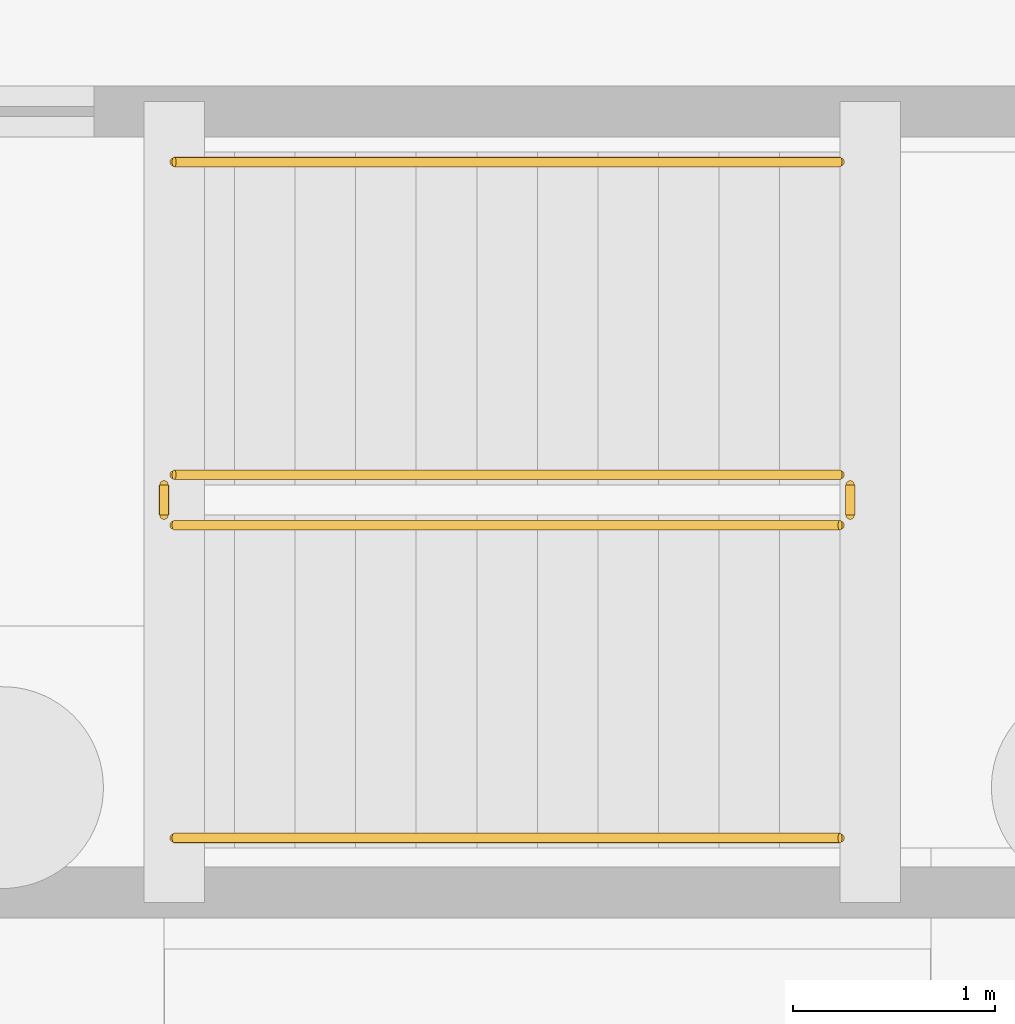
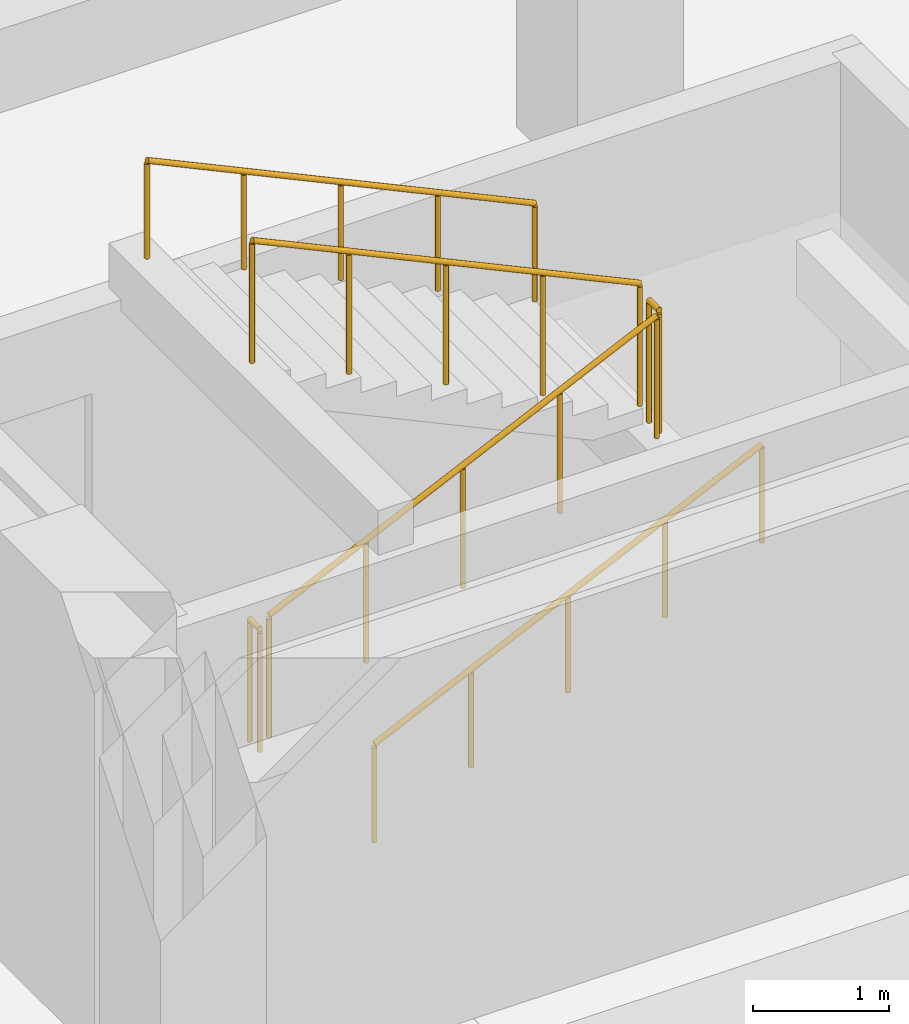
# One storey, part 55 of 70: 6 railings.
"""IFC4 building model written with IfcOpenShell, lengths in metres."""

import ifcopenshell
import ifcopenshell.guid

model = None  # the IFC model being written
_history = None  # IfcOwnerHistory: only IFC2X3 demands one
_inside = {}  # id of a spatial element -> (the spatial element, [elements in it])
_under = {}  # id of a project, library or spatial element -> (it, [spatial elements below it])
_declared = {}  # id of a project -> (the project, [libraries it declares])
_typed = {}  # id of a type object -> (the type object, [elements of that type])
_made_of = {}  # id of a material, layer set ... -> (it, [elements and type objects made of it])


def new_model(schema):
    """Start an empty IFC model of exactly this schema.

    Asked for "IFC4X3", IfcOpenShell would pick the latest addendum, in which some entities
    have other attributes; the version numbers below select the first issue.
    IFC2X3 requires an IfcOwnerHistory on every rooted entity: one is made here for all.
    """
    global model, _history
    if schema == "IFC4X3":
        model = ifcopenshell.file(schema_version=(4, 3, 0, 0))
    else:
        model = ifcopenshell.file(schema=schema)
    _inside.clear()
    _under.clear()
    _declared.clear()
    _typed.clear()
    _made_of.clear()
    _history = None
    if model.schema == "IFC2X3":
        org = make("IfcOrganization", Name="unknown")
        user = make(
            "IfcPersonAndOrganization",
            ThePerson=make("IfcPerson", FamilyName="unknown"),
            TheOrganization=org,
        )
        app = make(
            "IfcApplication",
            ApplicationDeveloper=org,
            Version="unknown",
            ApplicationFullName="unknown",
            ApplicationIdentifier="unknown",
        )
        _history = make(
            "IfcOwnerHistory",
            OwningUser=user,
            OwningApplication=app,
            ChangeAction="ADDED",
            CreationDate=0,
        )
    return model


def make(cls, **values):
    """One entity of the class cls with the attributes given. An attribute that is None is left unset."""
    return model.create_entity(
        cls, **{name: value for name, value in values.items() if value is not None}
    )


def rooted(cls, **values):
    """An entity with a GlobalId (a new one), such as an element, a storey or a relation."""
    return make(cls, GlobalId=ifcopenshell.guid.new(), OwnerHistory=_history, **values)


def si_unit(unit_type, name, prefix=None):
    """IfcSIUnit, for example si_unit("LENGTHUNIT", "METRE", prefix="MILLI")."""
    return make("IfcSIUnit", UnitType=unit_type, Prefix=prefix, Name=name)


def assignment(units):
    """IfcUnitAssignment: the units of a project."""
    return None if units is None else make("IfcUnitAssignment", Units=units)


def point(xyz):
    """IfcCartesianPoint."""
    return None if xyz is None else make("IfcCartesianPoint", Coordinates=xyz)


def direction(xyz):
    """IfcDirection."""
    return None if xyz is None else make("IfcDirection", DirectionRatios=xyz)


def frame(location, z_axis=None, x_axis=None):
    """IfcAxis2Placement3D, a coordinate frame: its origin and axes. An axis left out is left unset."""
    return make(
        "IfcAxis2Placement3D",
        Location=point(location),
        Axis=direction(z_axis),
        RefDirection=direction(x_axis),
    )


def frame_2d(location, x_axis=None):
    """IfcAxis2Placement2D, a coordinate frame in the plane: its origin and x axis."""
    return make(
        "IfcAxis2Placement2D", Location=point(location), RefDirection=direction(x_axis)
    )


def origin():
    """The frame at (0, 0, 0) with its axes left unset."""
    return frame((0.0, 0.0, 0.0))


def origin_2d():
    """The frame at (0, 0) in the plane with its x axis left unset."""
    return frame_2d((0.0, 0.0))


def place(relative_to, where):
    """IfcLocalPlacement: puts the frame where relative to a parent placement (None: the world)."""
    return make(
        "IfcLocalPlacement", PlacementRelTo=relative_to, RelativePlacement=where
    )


def context(
    kind, dimensions, precision=None, world=None, true_north=None, identifier=None
):
    """IfcGeometricRepresentationContext, for example the 3D "Model" context."""
    return make(
        "IfcGeometricRepresentationContext",
        ContextIdentifier=identifier,
        ContextType=kind,
        CoordinateSpaceDimension=dimensions,
        Precision=precision,
        WorldCoordinateSystem=world,
        TrueNorth=true_north,
    )


def subcontext(parent, identifier, kind, view, scale=None):
    """IfcGeometricRepresentationSubContext, for example "Body" below "Model"."""
    return make(
        "IfcGeometricRepresentationSubContext",
        ContextIdentifier=identifier,
        ContextType=kind,
        ParentContext=parent,
        TargetScale=scale,
        TargetView=view,
    )


def project(units=None, contexts=None):
    """IfcProject with its units and contexts."""
    return rooted(
        "IfcProject",
        Name="project",
        RepresentationContexts=contexts,
        UnitsInContext=assignment(units),
    )


def spatial(cls, under=None, at=None, **own):
    """A site, building, storey or space (cls), placed at a placement, below another one or the project."""
    s = rooted(cls, ObjectPlacement=at, **own)
    if under is not None:
        _under.setdefault(under.id(), (under, []))[1].append(s)
    return s


def profile(cls, at=None, kind="AREA", **sizes):
    """A parametric profile (cls). Its sizes go by their IFC names, for example OverallWidth=200.0."""
    return make(cls, ProfileType=kind, Position=at, **sizes)


def circle(**sizes):
    """IfcCircleProfileDef."""
    return profile("IfcCircleProfileDef", **sizes)


def extrude(swept, where, along, depth):
    """IfcExtrudedAreaSolid: the profile swept, set in the frame where, extruded along a direction by depth."""
    return make(
        "IfcExtrudedAreaSolid",
        SweptArea=swept,
        Position=where,
        ExtrudedDirection=direction(along),
        Depth=depth,
    )


def shape(context_of_items, identifier, shape_type, items):
    """IfcShapeRepresentation: the items that make up one representation, for example the "Body"."""
    return make(
        "IfcShapeRepresentation",
        ContextOfItems=context_of_items,
        RepresentationIdentifier=identifier,
        RepresentationType=shape_type,
        Items=items,
    )


def material(Name=None, Category=None):
    """IfcMaterial."""
    return make("IfcMaterial", Name=Name, Category=Category)


def made_of(thing, what):
    """Note that an element or type object is made of a material, layer set ...; save() writes the relation."""
    if what is not None:
        _made_of.setdefault(what.id(), (what, []))[1].append(thing)
    return thing


def type_object(cls, material=None, **own):
    """A type object (cls), such as IfcWallType, which elements share."""
    return made_of(rooted(cls, **own), material)


def element(
    cls,
    number,
    at=None,
    inside=None,
    cuts=None,
    type_object=None,
    material=None,
    context=None,
    identifier="Body",
    shape_type=None,
    held_by="IfcProductDefinitionShape",
    body=None,
    shapes=None,
    **own,
):
    """One element of the class cls, such as IfcWall. Its Tag is "e" and its number.

    at: its placement. inside: the storey or other place that contains it. cuts: it is an
    opening in that element (IfcRelVoidsElement). A single representation is given by context,
    identifier, shape_type and body (its items); several are given by shapes. held_by: the class
    of the entity that holds the representations. save() writes the other relations.
    """
    e = rooted(cls, Tag="e%d" % number, ObjectPlacement=at, **own)
    if body is not None:
        shapes = [shape(context, identifier, shape_type, body)]
    if shapes is not None:
        e.Representation = make(held_by, Representations=shapes)
    if inside is not None:
        _inside.setdefault(inside.id(), (inside, []))[1].append(e)
    if cuts is not None:
        rooted(
            "IfcRelVoidsElement", RelatingBuildingElement=cuts, RelatedOpeningElement=e
        )
    if type_object is not None:
        _typed.setdefault(type_object.id(), (type_object, []))[1].append(e)
    return made_of(e, material)


def aggregate(whole, parts):
    """IfcRelAggregates: a whole, such as a stair, and the parts it consists of."""
    return rooted("IfcRelAggregates", RelatingObject=whole, RelatedObjects=parts)


def save(model, path):
    """Write the relations noted so far, then the file.

    IfcRelAggregates (storeys below a building ...), IfcRelContainedInSpatialStructure (elements
    in a storey), IfcRelDefinesByType, IfcRelAssociatesMaterial and IfcRelDeclares: one each for
    every whole, place, type object, material and project.
    """
    for whole, parts in _under.values():
        aggregate(whole, parts)
    for where, things in _inside.values():
        rooted(
            "IfcRelContainedInSpatialStructure",
            RelatedElements=things,
            RelatingStructure=where,
        )
    for kind, things in _typed.values():
        rooted("IfcRelDefinesByType", RelatedObjects=things, RelatingType=kind)
    for what, things in _made_of.values():
        rooted("IfcRelAssociatesMaterial", RelatedObjects=things, RelatingMaterial=what)
    for by, libraries in _declared.values():
        rooted("IfcRelDeclares", RelatingContext=by, RelatedDefinitions=libraries)
    model.write(path)


model = new_model("IFC4")

# Units and contexts
model_context = context("Model", 3, precision=1e-05, world=origin(), true_north=direction((0.0, 1.0)))
body_context = subcontext(model_context, "Body", "Model", "MODEL_VIEW")
ifc_project = project(units=[si_unit("LENGTHUNIT", "METRE"), si_unit("AREAUNIT", "SQUARE_METRE"), si_unit("VOLUMEUNIT", "CUBIC_METRE"), si_unit("PLANEANGLEUNIT", "RADIAN"), si_unit("MASSUNIT", "GRAM", prefix="KILO")], contexts=[model_context])

# Site, building, storey
site_placement = place(None, origin())
site = spatial("IfcSite", under=ifc_project, at=site_placement, CompositionType="ELEMENT")
building_placement = place(site_placement, origin())
building = spatial("IfcBuilding", under=site, at=building_placement, Name="Cumbredor Promenade Congress Hotel", CompositionType="ELEMENT")
storey_placement = place(building_placement, frame((0.0, 0.0, -7.56005859375)))
storey = spatial("IfcBuildingStorey", under=building, at=storey_placement, Name="B02", CompositionType="ELEMENT", Elevation=-7.56005859375)

# Railings
ifc_material = material(Name="Brushed stainless steel", Category="steel")
railing_type_1 = type_object("IfcRailingType", Name="Interior Void & Stair Guardrail GR-1100", PredefinedType="GUARDRAIL", material=ifc_material)
railing_1_placement = place(storey_placement, frame((10.75, 11.199951171875, 0.14013671875)))
element("IfcRailing", 1, at=railing_1_placement, inside=storey, type_object=railing_type_1, Name="B02 ST-04 stair guard 1", PredefinedType="GUARDRAIL", context=body_context, shape_type="SweptSolid", body=[
    extrude(circle(Radius=0.02392578125, at=origin_2d()), frame((0.0, 0.0, 1.09619140625), z_axis=(0.906181427284, 0.0, 0.422889135408), x_axis=(0.0, 1.0, 0.0)), (0.0, 0.0, 1.0), 3.6416015625),
    extrude(circle(Radius=0.02099609375, at=origin_2d()), origin(), (0.0, 0.0, 1.0), 1.072021484375),
    extrude(circle(Radius=0.02099609375, at=origin_2d()), frame((0.824951171875, 0.0, 0.385009765625)), (0.0, 0.0, 1.0), 1.072021484375),
    extrude(circle(Radius=0.02099609375, at=origin_2d()), frame((1.64990234375, 0.0, 0.77001953125)), (0.0, 0.0, 1.0), 1.072021484375),
    extrude(circle(Radius=0.02099609375, at=origin_2d()), frame((2.47509765625, 0.0, 1.155029296875)), (0.0, 0.0, 1.0), 1.072021484375),
    extrude(circle(Radius=0.02099609375, at=origin_2d()), frame((3.300048828125, 0.0, 1.5400390625)), (0.0, 0.0, 1.0), 1.072021484375),
])
railing_2_placement = place(storey_placement, frame((14.10009765625, 11.25, 1.68017578125)))
element("IfcRailing", 2, at=railing_2_placement, inside=storey, type_object=railing_type_1, Name="B02 ST-04 stair guard 2", PredefinedType="GUARDRAIL", context=body_context, shape_type="SweptSolid", body=[
    extrude(circle(Radius=0.02392578125, at=origin_2d()), frame((0.0, 0.0, 1.09619140625), z_axis=(0.0, 1.0, 0.0), x_axis=(-1.0, 0.0, 0.0)), (0.0, 0.0, 1.0), 0.14990234375),
    extrude(circle(Radius=0.02099609375, at=origin_2d()), origin(), (0.0, 0.0, 1.0), 1.072021484375),
    extrude(circle(Radius=0.02099609375, at=origin_2d()), frame((0.0, 0.14990234375, 0.0)), (0.0, 0.0, 1.0), 1.072021484375),
])
railing_3_placement = place(storey_placement, frame((14.050048828125, 11.449951171875, 1.820068359375)))
element("IfcRailing", 3, at=railing_3_placement, inside=storey, type_object=railing_type_1, Name="B02 ST-04 stair guard 3", PredefinedType="GUARDRAIL", context=body_context, shape_type="SweptSolid", body=[
    extrude(circle(Radius=0.02392578125, at=origin_2d()), frame((0.0, 0.0, 1.09619140625), z_axis=(-0.906181427284, 0.0, 0.422889135408), x_axis=(0.0, -1.0, 0.0)), (0.0, 0.0, 1.0), 3.6416015625),
    extrude(circle(Radius=0.02099609375, at=origin_2d()), origin(), (0.0, 0.0, 1.0), 1.072021484375),
    extrude(circle(Radius=0.02099609375, at=origin_2d()), frame((-0.824951171875, 0.0, 0.385009765625)), (0.0, 0.0, 1.0), 1.072021484375),
    extrude(circle(Radius=0.02099609375, at=origin_2d()), frame((-1.64990234375, 0.0, 0.77001953125)), (0.0, 0.0, 1.0), 1.072021484375),
    extrude(circle(Radius=0.02099609375, at=origin_2d()), frame((-2.47509765625, 0.0, 1.155029296875)), (0.0, 0.0, 1.0), 1.072021484375),
    extrude(circle(Radius=0.02099609375, at=origin_2d()), frame((-3.300048828125, 0.0, 1.5400390625)), (0.0, 0.0, 1.0), 1.072021484375),
])
railing_4_placement = place(storey_placement, frame((10.699951171875, 11.25, 0.0)))
element("IfcRailing", 4, at=railing_4_placement, inside=storey, type_object=railing_type_1, Name="B02 ST-04 stair guard 4", PredefinedType="GUARDRAIL", context=body_context, shape_type="SweptSolid", body=[
    extrude(circle(Radius=0.02392578125, at=origin_2d()), frame((0.0, 0.0, 1.09619140625), z_axis=(0.0, 1.0, 0.0), x_axis=(-1.0, 0.0, 0.0)), (0.0, 0.0, 1.0), 0.14990234375),
    extrude(circle(Radius=0.02099609375, at=origin_2d()), origin(), (0.0, 0.0, 1.0), 1.072021484375),
    extrude(circle(Radius=0.02099609375, at=origin_2d()), frame((0.0, 0.14990234375, 0.0)), (0.0, 0.0, 1.0), 1.072021484375),
])
railing_type_2 = type_object("IfcRailingType", Name="Stair Pitch Handrail HR-900", PredefinedType="HANDRAIL", material=ifc_material)
railing_5_placement = place(storey_placement, frame((10.75, 9.64990234375, 0.14013671875)))
element("IfcRailing", 5, at=railing_5_placement, inside=storey, type_object=railing_type_2, Name="B02 ST-04 stair handrail 1", PredefinedType="HANDRAIL", context=body_context, shape_type="SweptSolid", body=[
    extrude(circle(Radius=0.02392578125, at=origin_2d()), frame((0.0, 0.0, 0.8759765625), z_axis=(0.906181427284, 0.0, 0.422889135408), x_axis=(0.0, 1.0, 0.0)), (0.0, 0.0, 1.0), 3.6416015625),
    extrude(circle(Radius=0.02099609375, at=origin_2d()), origin(), (0.0, 0.0, 1.0), 0.851806640625),
    extrude(circle(Radius=0.02099609375, at=origin_2d()), frame((0.824951171875, 0.0, 0.385009765625)), (0.0, 0.0, 1.0), 0.851806640625),
    extrude(circle(Radius=0.02099609375, at=origin_2d()), frame((1.64990234375, 0.0, 0.77001953125)), (0.0, 0.0, 1.0), 0.851806640625),
    extrude(circle(Radius=0.02099609375, at=origin_2d()), frame((2.47509765625, 0.0, 1.155029296875)), (0.0, 0.0, 1.0), 0.851806640625),
    extrude(circle(Radius=0.02099609375, at=origin_2d()), frame((3.300048828125, 0.0, 1.5400390625)), (0.0, 0.0, 1.0), 0.851806640625),
])
railing_6_placement = place(storey_placement, frame((14.050048828125, 13.0, 1.820068359375)))
element("IfcRailing", 6, at=railing_6_placement, inside=storey, type_object=railing_type_2, Name="B02 ST-04 stair handrail 2", PredefinedType="HANDRAIL", context=body_context, shape_type="SweptSolid", body=[
    extrude(circle(Radius=0.02392578125, at=origin_2d()), frame((0.0, 0.0, 0.8759765625), z_axis=(-0.906181427284, 0.0, 0.422889135408), x_axis=(0.0, -1.0, 0.0)), (0.0, 0.0, 1.0), 3.6416015625),
    extrude(circle(Radius=0.02099609375, at=origin_2d()), origin(), (0.0, 0.0, 1.0), 0.851806640625),
    extrude(circle(Radius=0.02099609375, at=origin_2d()), frame((-0.824951171875, 0.0, 0.385009765625)), (0.0, 0.0, 1.0), 0.851806640625),
    extrude(circle(Radius=0.02099609375, at=origin_2d()), frame((-1.64990234375, 0.0, 0.77001953125)), (0.0, 0.0, 1.0), 0.851806640625),
    extrude(circle(Radius=0.02099609375, at=origin_2d()), frame((-2.47509765625, 0.0, 1.155029296875)), (0.0, 0.0, 1.0), 0.851806640625),
    extrude(circle(Radius=0.02099609375, at=origin_2d()), frame((-3.300048828125, 0.0, 1.5400390625)), (0.0, 0.0, 1.0), 0.851806640625),
])

save(model, "model.ifc")
